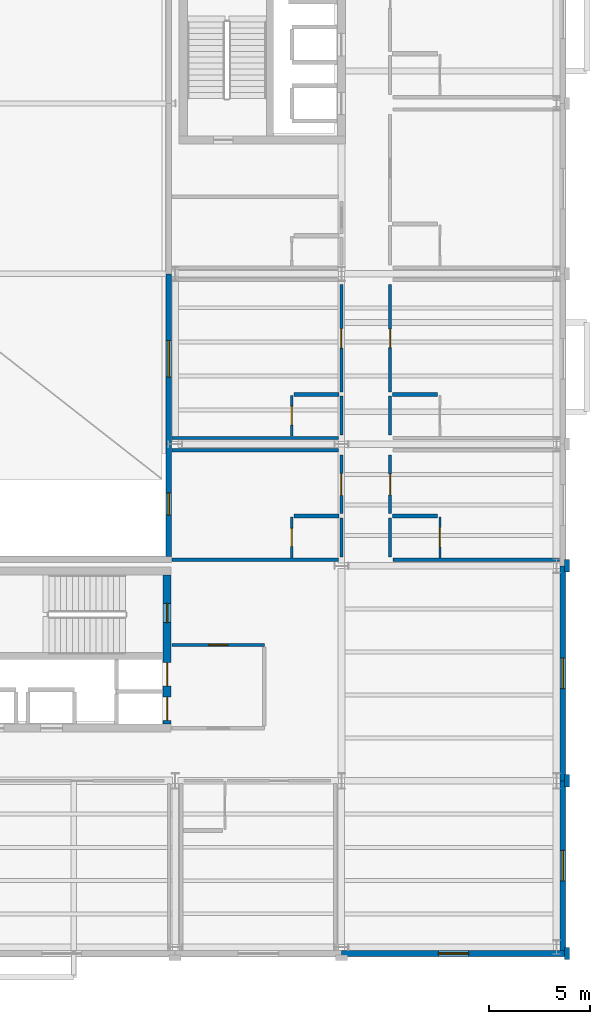
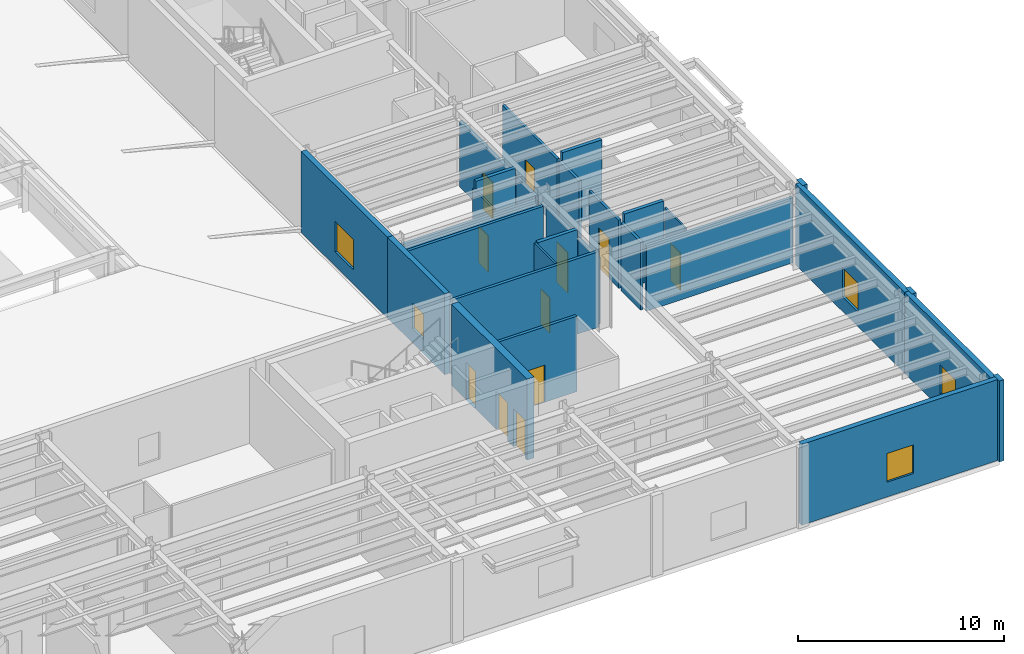
# One storey, part 78 of 91: 29 walls, 11 doors, 5 windows, 16 openings.
"""IFC4 building model written with IfcOpenShell, lengths in metres."""

import ifcopenshell
import ifcopenshell.guid

model = None  # the IFC model being written
_history = None  # IfcOwnerHistory: only IFC2X3 demands one
_inside = {}  # id of a spatial element -> (the spatial element, [elements in it])
_under = {}  # id of a project, library or spatial element -> (it, [spatial elements below it])
_declared = {}  # id of a project -> (the project, [libraries it declares])
_typed = {}  # id of a type object -> (the type object, [elements of that type])
_made_of = {}  # id of a material, layer set ... -> (it, [elements and type objects made of it])


def new_model(schema):
    """Start an empty IFC model of exactly this schema.

    Asked for "IFC4X3", IfcOpenShell would pick the latest addendum, in which some entities
    have other attributes; the version numbers below select the first issue.
    IFC2X3 requires an IfcOwnerHistory on every rooted entity: one is made here for all.
    """
    global model, _history
    if schema == "IFC4X3":
        model = ifcopenshell.file(schema_version=(4, 3, 0, 0))
    else:
        model = ifcopenshell.file(schema=schema)
    _inside.clear()
    _under.clear()
    _declared.clear()
    _typed.clear()
    _made_of.clear()
    _history = None
    if model.schema == "IFC2X3":
        org = make("IfcOrganization", Name="unknown")
        user = make(
            "IfcPersonAndOrganization",
            ThePerson=make("IfcPerson", FamilyName="unknown"),
            TheOrganization=org,
        )
        app = make(
            "IfcApplication",
            ApplicationDeveloper=org,
            Version="unknown",
            ApplicationFullName="unknown",
            ApplicationIdentifier="unknown",
        )
        _history = make(
            "IfcOwnerHistory",
            OwningUser=user,
            OwningApplication=app,
            ChangeAction="ADDED",
            CreationDate=0,
        )
    return model


def make(cls, **values):
    """One entity of the class cls with the attributes given. An attribute that is None is left unset."""
    return model.create_entity(
        cls, **{name: value for name, value in values.items() if value is not None}
    )


def rooted(cls, **values):
    """An entity with a GlobalId (a new one), such as an element, a storey or a relation."""
    return make(cls, GlobalId=ifcopenshell.guid.new(), OwnerHistory=_history, **values)


def si_unit(unit_type, name, prefix=None):
    """IfcSIUnit, for example si_unit("LENGTHUNIT", "METRE", prefix="MILLI")."""
    return make("IfcSIUnit", UnitType=unit_type, Prefix=prefix, Name=name)


def assignment(units):
    """IfcUnitAssignment: the units of a project."""
    return None if units is None else make("IfcUnitAssignment", Units=units)


def point(xyz):
    """IfcCartesianPoint."""
    return None if xyz is None else make("IfcCartesianPoint", Coordinates=xyz)


def direction(xyz):
    """IfcDirection."""
    return None if xyz is None else make("IfcDirection", DirectionRatios=xyz)


def frame(location, z_axis=None, x_axis=None):
    """IfcAxis2Placement3D, a coordinate frame: its origin and axes. An axis left out is left unset."""
    return make(
        "IfcAxis2Placement3D",
        Location=point(location),
        Axis=direction(z_axis),
        RefDirection=direction(x_axis),
    )


def frame_2d(location, x_axis=None):
    """IfcAxis2Placement2D, a coordinate frame in the plane: its origin and x axis."""
    return make(
        "IfcAxis2Placement2D", Location=point(location), RefDirection=direction(x_axis)
    )


def origin():
    """The frame at (0, 0, 0) with its axes left unset."""
    return frame((0.0, 0.0, 0.0))


def place(relative_to, where):
    """IfcLocalPlacement: puts the frame where relative to a parent placement (None: the world)."""
    return make(
        "IfcLocalPlacement", PlacementRelTo=relative_to, RelativePlacement=where
    )


def context(
    kind, dimensions, precision=None, world=None, true_north=None, identifier=None
):
    """IfcGeometricRepresentationContext, for example the 3D "Model" context."""
    return make(
        "IfcGeometricRepresentationContext",
        ContextIdentifier=identifier,
        ContextType=kind,
        CoordinateSpaceDimension=dimensions,
        Precision=precision,
        WorldCoordinateSystem=world,
        TrueNorth=true_north,
    )


def subcontext(parent, identifier, kind, view, scale=None):
    """IfcGeometricRepresentationSubContext, for example "Body" below "Model"."""
    return make(
        "IfcGeometricRepresentationSubContext",
        ContextIdentifier=identifier,
        ContextType=kind,
        ParentContext=parent,
        TargetScale=scale,
        TargetView=view,
    )


def project(units=None, contexts=None):
    """IfcProject with its units and contexts."""
    return rooted(
        "IfcProject",
        Name="project",
        RepresentationContexts=contexts,
        UnitsInContext=assignment(units),
    )


def spatial(cls, under=None, at=None, **own):
    """A site, building, storey or space (cls), placed at a placement, below another one or the project."""
    s = rooted(cls, ObjectPlacement=at, **own)
    if under is not None:
        _under.setdefault(under.id(), (under, []))[1].append(s)
    return s


def profile(cls, at=None, kind="AREA", **sizes):
    """A parametric profile (cls). Its sizes go by their IFC names, for example OverallWidth=200.0."""
    return make(cls, ProfileType=kind, Position=at, **sizes)


def rectangle(**sizes):
    """IfcRectangleProfileDef."""
    return profile("IfcRectangleProfileDef", **sizes)


def extrude(swept, where, along, depth):
    """IfcExtrudedAreaSolid: the profile swept, set in the frame where, extruded along a direction by depth."""
    return make(
        "IfcExtrudedAreaSolid",
        SweptArea=swept,
        Position=where,
        ExtrudedDirection=direction(along),
        Depth=depth,
    )


def shape(context_of_items, identifier, shape_type, items):
    """IfcShapeRepresentation: the items that make up one representation, for example the "Body"."""
    return make(
        "IfcShapeRepresentation",
        ContextOfItems=context_of_items,
        RepresentationIdentifier=identifier,
        RepresentationType=shape_type,
        Items=items,
    )


def material(Name=None, Category=None):
    """IfcMaterial."""
    return make("IfcMaterial", Name=Name, Category=Category)


def layer(
    of_material, thickness, ventilated=None, Name=None, Category=None, Priority=None
):
    """IfcMaterialLayer: one layer of a wall or slab, of a material (None: an air gap)."""
    return make(
        "IfcMaterialLayer",
        Material=of_material,
        LayerThickness=thickness,
        IsVentilated=ventilated,
        Name=Name,
        Category=Category,
        Priority=Priority,
    )


def layer_set(layers, Name=None):
    """IfcMaterialLayerSet."""
    return make("IfcMaterialLayerSet", MaterialLayers=layers, LayerSetName=Name)


def made_of(thing, what):
    """Note that an element or type object is made of a material, layer set ...; save() writes the relation."""
    if what is not None:
        _made_of.setdefault(what.id(), (what, []))[1].append(thing)
    return thing


def type_object(cls, material=None, **own):
    """A type object (cls), such as IfcWallType, which elements share."""
    return made_of(rooted(cls, **own), material)


def element(
    cls,
    number,
    at=None,
    inside=None,
    cuts=None,
    type_object=None,
    material=None,
    context=None,
    identifier="Body",
    shape_type=None,
    held_by="IfcProductDefinitionShape",
    body=None,
    shapes=None,
    **own,
):
    """One element of the class cls, such as IfcWall. Its Tag is "e" and its number.

    at: its placement. inside: the storey or other place that contains it. cuts: it is an
    opening in that element (IfcRelVoidsElement). A single representation is given by context,
    identifier, shape_type and body (its items); several are given by shapes. held_by: the class
    of the entity that holds the representations. save() writes the other relations.
    """
    e = rooted(cls, Tag="e%d" % number, ObjectPlacement=at, **own)
    if body is not None:
        shapes = [shape(context, identifier, shape_type, body)]
    if shapes is not None:
        e.Representation = make(held_by, Representations=shapes)
    if inside is not None:
        _inside.setdefault(inside.id(), (inside, []))[1].append(e)
    if cuts is not None:
        rooted(
            "IfcRelVoidsElement", RelatingBuildingElement=cuts, RelatedOpeningElement=e
        )
    if type_object is not None:
        _typed.setdefault(type_object.id(), (type_object, []))[1].append(e)
    return made_of(e, material)


def fill(opening, filler):
    """IfcRelFillsElement: the door or window that sits in an opening."""
    return rooted(
        "IfcRelFillsElement",
        RelatingOpeningElement=opening,
        RelatedBuildingElement=filler,
    )


def aggregate(whole, parts):
    """IfcRelAggregates: a whole, such as a stair, and the parts it consists of."""
    return rooted("IfcRelAggregates", RelatingObject=whole, RelatedObjects=parts)


def save(model, path):
    """Write the relations noted so far, then the file.

    IfcRelAggregates (storeys below a building ...), IfcRelContainedInSpatialStructure (elements
    in a storey), IfcRelDefinesByType, IfcRelAssociatesMaterial and IfcRelDeclares: one each for
    every whole, place, type object, material and project.
    """
    for whole, parts in _under.values():
        aggregate(whole, parts)
    for where, things in _inside.values():
        rooted(
            "IfcRelContainedInSpatialStructure",
            RelatedElements=things,
            RelatingStructure=where,
        )
    for kind, things in _typed.values():
        rooted("IfcRelDefinesByType", RelatedObjects=things, RelatingType=kind)
    for what, things in _made_of.values():
        rooted("IfcRelAssociatesMaterial", RelatedObjects=things, RelatingMaterial=what)
    for by, libraries in _declared.values():
        rooted("IfcRelDeclares", RelatingContext=by, RelatedDefinitions=libraries)
    model.write(path)


model = new_model("IFC4")

# Units and contexts
model_context = context("Model", 3, precision=1e-05, world=origin(), true_north=direction((0.0, 1.0)))
body_context = subcontext(model_context, "Body", "Model", "MODEL_VIEW")
ifc_project = project(units=[si_unit("LENGTHUNIT", "METRE"), si_unit("AREAUNIT", "SQUARE_METRE"), si_unit("VOLUMEUNIT", "CUBIC_METRE"), si_unit("PLANEANGLEUNIT", "RADIAN"), si_unit("MASSUNIT", "GRAM", prefix="KILO")], contexts=[model_context])

# Site, building, storey
site_placement = place(None, origin())
site = spatial("IfcSite", under=ifc_project, at=site_placement, CompositionType="ELEMENT")
building_placement = place(site_placement, origin())
building = spatial("IfcBuilding", under=site, at=building_placement, Name="Sollismere Congress Hotel", CompositionType="ELEMENT")
storey_placement = place(building_placement, frame((0.0, 0.0, 10.800048828125)))
storey = spatial("IfcBuildingStorey", under=building, at=storey_placement, Name="L02", CompositionType="ELEMENT", Elevation=10.800048828125)

# Wall, opening, window
ifc_material_1 = material(Name="Colorado Buff Sandstone Rainscreen on Insulated Backup", Category="masonry")
ifc_layer_1 = layer(ifc_material_1, 0.284912109375, Name="Colorado Buff Sandstone Rainscreen on Insulated Backup")
ifc_layer_set_1 = layer_set([ifc_layer_1], Name="Colorado Buff Sandstone Rainscreen on Insulated Backup")
wall_type_1 = type_object("IfcWallType", Name="WL-EXT285", PredefinedType="STANDARD", material=ifc_layer_set_1)
wall_1_placement = place(storey_placement, frame((155.39990234375, -0.31005859375, 0.0), z_axis=(0.0, 0.0, 1.0), x_axis=(1.0, 0.0, 0.0)))
wall_1 = element("IfcWall", 1, at=wall_1_placement, inside=storey, type_object=wall_type_1, Name="Exterior wall EW-L02-352", PredefinedType="STANDARD", context=body_context, shape_type="SweptSolid", body=[
    extrude(rectangle(XDim=11.050048828125, YDim=0.284912109375, at=frame_2d((5.52490234375, 0.0))), origin(), (0.0, 0.0, 1.0), 4.800048828125),
])
opening_1_placement = place(wall_1_placement, frame((4.77490234375, 0.0, 0.8798828125)))
opening_1 = element("IfcOpeningElement", 2, at=opening_1_placement, cuts=wall_1, Name="Opening W-L02-282", PredefinedType="OPENING", context=body_context, shape_type="SweptSolid", body=[
    extrude(rectangle(XDim=1.5, YDim=1.699951171875, at=frame_2d((0.75, 0.85009765625))), frame((0.0, 0.15234375, 0.0), z_axis=(0.0, -1.0, 0.0), x_axis=(1.0, 0.0, 0.0)), (0.0, 0.0, 1.0), 0.304931640625),
])
ifc_material_2 = material(Name="Thermally Broken Bronze Aluminum & Low-E Glass", Category="aluminium")
window_type_1 = type_object("IfcWindowType", Name="WN-P150x170", PartitioningType="SINGLE_PANEL", PredefinedType="WINDOW", material=ifc_material_2)
window_1_placement = place(opening_1_placement, origin())
window_1 = element("IfcWindow", 3, at=window_1_placement, inside=storey, type_object=window_type_1, Name="WIN-W-L02-282", OverallHeight=1.699951171875, OverallWidth=1.5, PartitioningType="SINGLE_PANEL", PredefinedType="WINDOW", context=body_context, shape_type="SweptSolid", body=[
    extrude(rectangle(XDim=1.5, YDim=1.699951171875, at=frame_2d((0.75, 0.85009765625))), frame((0.0, 0.030029296875, 0.0), z_axis=(0.0, -1.0, 0.0), x_axis=(1.0, 0.0, 0.0)), (0.0, 0.0, 1.0), 0.06005859375),
])
fill(opening_1, window_1)

wall_2_placement = place(storey_placement, frame((166.31005859375, -0.16552734375, 0.0), z_axis=(0.0, 0.0, 1.0), x_axis=(0.0, 1.0, 0.0)))
wall_2 = element("IfcWall", 4, at=wall_2_placement, inside=storey, type_object=wall_type_1, Name="Exterior wall EW-L02-354", PredefinedType="STANDARD", context=body_context, shape_type="SweptSolid", body=[
    extrude(rectangle(XDim=8.365478515625, YDim=0.284912109375, at=frame_2d((4.1826171875, 0.0))), origin(), (0.0, 0.0, 1.0), 4.800048828125),
])
opening_2_placement = place(wall_2_placement, frame((3.4326171875, 0.0, 0.8798828125)))
opening_2 = element("IfcOpeningElement", 5, at=opening_2_placement, cuts=wall_2, Name="Opening W-L02-283", PredefinedType="OPENING", context=body_context, shape_type="SweptSolid", body=[
    extrude(rectangle(XDim=1.5, YDim=1.699951171875, at=frame_2d((0.75, 0.85009765625))), frame((0.0, 0.15234375, 0.0), z_axis=(0.0, -1.0, 0.0), x_axis=(1.0, 0.0, 0.0)), (0.0, 0.0, 1.0), 0.304931640625),
])
window_2_placement = place(opening_2_placement, origin())
window_2 = element("IfcWindow", 6, at=window_2_placement, inside=storey, type_object=window_type_1, Name="WIN-W-L02-283", OverallHeight=1.699951171875, OverallWidth=1.5, PartitioningType="SINGLE_PANEL", PredefinedType="WINDOW", context=body_context, shape_type="SweptSolid", body=[
    extrude(rectangle(XDim=1.5, YDim=1.699951171875, at=frame_2d((0.75, 0.85009765625))), frame((0.0, 0.030029296875, 0.0), z_axis=(0.0, -1.0, 0.0), x_axis=(1.0, 0.0, 0.0)), (0.0, 0.0, 1.0), 0.06005859375),
])
fill(opening_2, window_2)

wall_3_placement = place(storey_placement, frame((166.31005859375, 8.199951171875, 0.0), z_axis=(0.0, 0.0, 1.0), x_axis=(0.0, 1.0, 0.0)))
wall_3 = element("IfcWall", 7, at=wall_3_placement, inside=storey, type_object=wall_type_1, Name="Exterior wall EW-L02-356", PredefinedType="STANDARD", context=body_context, shape_type="SweptSolid", body=[
    extrude(rectangle(XDim=10.60009765625, YDim=0.284912109375, at=frame_2d((5.300048828125, 0.0))), origin(), (0.0, 0.0, 1.0), 4.800048828125),
])
opening_3_placement = place(wall_3_placement, frame((4.550048828125, 0.0, 0.8798828125)))
opening_3 = element("IfcOpeningElement", 8, at=opening_3_placement, cuts=wall_3, Name="Opening W-L02-284", PredefinedType="OPENING", context=body_context, shape_type="SweptSolid", body=[
    extrude(rectangle(XDim=1.5, YDim=1.699951171875, at=frame_2d((0.75, 0.85009765625))), frame((0.0, 0.15234375, 0.0), z_axis=(0.0, -1.0, 0.0), x_axis=(1.0, 0.0, 0.0)), (0.0, 0.0, 1.0), 0.304931640625),
])
window_3_placement = place(opening_3_placement, origin())
window_3 = element("IfcWindow", 9, at=window_3_placement, inside=storey, type_object=window_type_1, Name="WIN-W-L02-284", OverallHeight=1.699951171875, OverallWidth=1.5, PartitioningType="SINGLE_PANEL", PredefinedType="WINDOW", context=body_context, shape_type="SweptSolid", body=[
    extrude(rectangle(XDim=1.5, YDim=1.699951171875, at=frame_2d((0.75, 0.85009765625))), frame((0.0, 0.030029296875, 0.0), z_axis=(0.0, -1.0, 0.0), x_axis=(1.0, 0.0, 0.0)), (0.0, 0.0, 1.0), 0.06005859375),
])
fill(opening_3, window_3)

wall_4_placement = place(storey_placement, frame((146.889892578125, 19.25439453125, 0.0), z_axis=(0.0, 0.0, 1.0), x_axis=(0.0, 1.0, 0.0)))
wall_4 = element("IfcWall", 10, at=wall_4_placement, inside=storey, type_object=wall_type_1, Name="Exterior wall EW-L02-381", PredefinedType="STANDARD", context=body_context, shape_type="SweptSolid", body=[
    extrude(rectangle(XDim=5.545654296875, YDim=0.284912109375, at=frame_2d((2.77294921875, 0.0))), origin(), (0.0, 0.0, 1.0), 4.800048828125),
])
opening_4_placement = place(wall_4_placement, frame((2.047607421875, 0.0, 0.85009765625)))
opening_4 = element("IfcOpeningElement", 11, at=opening_4_placement, cuts=wall_4, Name="Opening W-L02-301", PredefinedType="OPENING", context=body_context, shape_type="SweptSolid", body=[
    extrude(rectangle(XDim=1.10009765625, YDim=1.5, at=frame_2d((0.550048828125, 0.75))), frame((0.0, 0.15234375, 0.0), z_axis=(0.0, -1.0, 0.0), x_axis=(1.0, 0.0, 0.0)), (0.0, 0.0, 1.0), 0.304931640625),
])
window_type_2 = type_object("IfcWindowType", Name="WN-P110x150", PartitioningType="SINGLE_PANEL", PredefinedType="WINDOW", material=ifc_material_2)
window_4_placement = place(opening_4_placement, origin())
window_4 = element("IfcWindow", 12, at=window_4_placement, inside=storey, type_object=window_type_2, Name="WIN-W-L02-301", OverallHeight=1.5, OverallWidth=1.10009765625, PartitioningType="SINGLE_PANEL", PredefinedType="WINDOW", context=body_context, shape_type="SweptSolid", body=[
    extrude(rectangle(XDim=1.10009765625, YDim=1.5, at=frame_2d((0.550048828125, 0.75))), frame((0.0, 0.030029296875, 0.0), z_axis=(0.0, -1.0, 0.0), x_axis=(1.0, 0.0, 0.0)), (0.0, 0.0, 1.0), 0.06005859375),
])
fill(opening_4, window_4)

wall_5_placement = place(storey_placement, frame((146.889892578125, 24.800048828125, 0.0), z_axis=(0.0, 0.0, 1.0), x_axis=(0.0, 1.0, 0.0)))
wall_5 = element("IfcWall", 13, at=wall_5_placement, inside=storey, type_object=wall_type_1, Name="Exterior wall EW-L02-382", PredefinedType="STANDARD", context=body_context, shape_type="SweptSolid", body=[
    extrude(rectangle(XDim=8.39990234375, YDim=0.284912109375, at=frame_2d((4.199951171875, 0.0))), origin(), (0.0, 0.0, 1.0), 4.800048828125),
])
opening_5_placement = place(wall_5_placement, frame((3.300048828125, 0.0, 0.85009765625)))
opening_5 = element("IfcOpeningElement", 14, at=opening_5_placement, cuts=wall_5, Name="Opening W-L02-302", PredefinedType="OPENING", context=body_context, shape_type="SweptSolid", body=[
    extrude(rectangle(XDim=1.800048828125, YDim=1.800048828125, at=frame_2d((0.89990234375, 0.89990234375))), frame((0.0, 0.15234375, 0.0), z_axis=(0.0, -1.0, 0.0), x_axis=(1.0, 0.0, 0.0)), (0.0, 0.0, 1.0), 0.304931640625),
])
window_type_3 = type_object("IfcWindowType", Name="WN-P180x180", PartitioningType="SINGLE_PANEL", PredefinedType="WINDOW", material=ifc_material_2)
window_5_placement = place(opening_5_placement, origin())
window_5 = element("IfcWindow", 15, at=window_5_placement, inside=storey, type_object=window_type_3, Name="WIN-W-L02-302", OverallHeight=1.800048828125, OverallWidth=1.800048828125, PartitioningType="SINGLE_PANEL", PredefinedType="WINDOW", context=body_context, shape_type="SweptSolid", body=[
    extrude(rectangle(XDim=1.800048828125, YDim=1.800048828125, at=frame_2d((0.89990234375, 0.89990234375))), frame((0.0, 0.030029296875, 0.0), z_axis=(0.0, -1.0, 0.0), x_axis=(1.0, 0.0, 0.0)), (0.0, 0.0, 1.0), 0.06005859375),
])
fill(opening_5, window_5)

# Walls
ifc_material_3 = material(Name="Carved Travertine Pilaster & Frieze Assembly", Category="masonry")
ifc_layer_2 = layer(ifc_material_3, 0.260009765625, Name="Carved Travertine Pilaster & Frieze Assembly")
ifc_layer_set_2 = layer_set([ifc_layer_2], Name="Carved Travertine Pilaster & Frieze Assembly")
wall_type_2 = type_object("IfcWallType", Name="WL-PIL280", PredefinedType="ELEMENTEDWALL", material=ifc_layer_set_2)
for number, where, z_axis, x_axis, name in (
    (16, (166.52001953125, -0.610107421875, 0.0), (0.0, 0.0, 1.0), (0.0, 1.0, 0.0), "Exterior wall EW-L02-355"),
    (17, (166.52001953125, 7.89990234375, 0.0), (0.0, 0.0, 1.0), (0.0, 1.0, 0.0), "Exterior wall EW-L02-357"),
    (18, (166.52001953125, 18.5, 0.0), (0.0, 0.0, 1.0), (0.0, 1.0, 0.0), "Exterior wall EW-L02-359"),
):
    element("IfcWall", number, at=place(storey_placement, frame(where, z_axis=z_axis, x_axis=x_axis)), inside=storey, type_object=wall_type_2, Name=name, PredefinedType="ELEMENTEDWALL", context=body_context, shape_type="SweptSolid", body=[
        extrude(rectangle(XDim=0.60009765625, YDim=0.260009765625, at=frame_2d((0.300048828125, 0.0))), origin(), (0.0, 0.0, 1.0), 4.800048828125),
    ])
ifc_material_4 = material(Name="Moisture-Resistant Shaft Gypsum Assembly")
ifc_layer_3 = layer(ifc_material_4, 0.199951171875, Name="Moisture-Resistant Shaft Gypsum Assembly")
ifc_layer_set_3 = layer_set([ifc_layer_3], Name="Moisture-Resistant Shaft Gypsum Assembly")
wall_type_3 = type_object("IfcWallType", Name="WL-PLM200", PredefinedType="PLUMBINGWALL", material=ifc_layer_set_3)
for number, where, z_axis, x_axis, name in (
    (19, (157.919921875, 21.25, 0.0), (0.0, 0.0, 1.0), (1.0, 0.0, 0.0), "Interior wall IW-L02-1137"),
    (20, (153.070068359375, 21.25, 0.0), (0.0, 0.0, 1.0), (1.0, 0.0, 0.0), "Interior wall IW-L02-1143"),
    (21, (157.919921875, 27.25, 0.0), (0.0, 0.0, 1.0), (1.0, 0.0, 0.0), "Interior wall IW-L02-1149"),
    (22, (153.070068359375, 27.25, 0.0), (0.0, 0.0, 1.0), (1.0, 0.0, 0.0), "Interior wall IW-L02-1155"),
):
    element("IfcWall", number, at=place(storey_placement, frame(where, z_axis=z_axis, x_axis=x_axis)), inside=storey, type_object=wall_type_3, Name=name, PredefinedType="PLUMBINGWALL", context=body_context, shape_type="SweptSolid", body=[
        extrude(rectangle(XDim=2.2099609375, YDim=0.199951171875, at=frame_2d((1.10498046875, 0.0))), origin(), (0.0, 0.0, 1.0), 4.474853515625),
    ])

# Wall, opening, door
ifc_material_5 = material(Name="Moisture-Resistant Gypsum Partition")
ifc_layer_4 = layer(ifc_material_5, 0.10009765625, Name="Moisture-Resistant Gypsum Partition")
ifc_layer_set_4 = layer_set([ifc_layer_4], Name="Moisture-Resistant Gypsum Partition")
wall_type_4 = type_object("IfcWallType", Name="WL-PRT100", PredefinedType="PARTITIONING", material=ifc_layer_set_4)
wall_6_placement = place(storey_placement, frame((160.25, 19.194580078125, 0.0), z_axis=(0.0, 0.0, 1.0), x_axis=(0.0, 1.0, 0.0)))
wall_6 = element("IfcWall", 23, at=wall_6_placement, inside=storey, type_object=wall_type_4, Name="Interior wall IW-L02-1138", PredefinedType="PARTITIONING", context=body_context, shape_type="SweptSolid", body=[
    extrude(rectangle(XDim=2.015380859375, YDim=0.10009765625, at=frame_2d((1.0078125, 0.0))), origin(), (0.0, 0.0, 1.0), 4.032958984375),
])
opening_6_placement = place(wall_6_placement, frame((0.530029296875, 0.0, 0.0)))
opening_6 = element("IfcOpeningElement", 24, at=opening_6_placement, cuts=wall_6, Name="Opening D-L02-0402", PredefinedType="OPENING", context=body_context, shape_type="SweptSolid", body=[
    extrude(rectangle(XDim=0.955078125, YDim=2.219970703125, at=frame_2d((0.4775390625, 1.10986328125))), frame((0.0, 0.06005859375, 0.0), z_axis=(0.0, -1.0, 0.0), x_axis=(1.0, 0.0, 0.0)), (0.0, 0.0, 1.0), 0.1201171875),
])
ifc_material_6 = material(Name="Moisture-Sealed Timber Bathroom Door", Category="wood")
door_type_1 = type_object("IfcDoorType", Name="DR-BT08", OperationType="NOTDEFINED", PredefinedType="DOOR", material=ifc_material_6)
door_1_placement = place(opening_6_placement, origin())
door_1 = element("IfcDoor", 25, at=door_1_placement, inside=storey, type_object=door_type_1, Name="En-suite bathroom door D-L02-0402", OperationType="SINGLE_SWING_LEFT", OverallHeight=2.219970703125, OverallWidth=0.955078125, PredefinedType="DOOR", context=body_context, shape_type="SweptSolid", body=[
    extrude(rectangle(XDim=0.955078125, YDim=2.219970703125, at=frame_2d((0.4775390625, 1.10986328125))), frame((0.0, 0.02490234375, 0.0), z_axis=(0.0, -1.0, 0.0), x_axis=(1.0, 0.0, 0.0)), (0.0, 0.0, 1.0), 0.050048828125),
])
fill(opening_6, door_1)

wall_7_placement = place(storey_placement, frame((152.949951171875, 19.194580078125, 0.0), z_axis=(0.0, 0.0, 1.0), x_axis=(0.0, 1.0, 0.0)))
wall_7 = element("IfcWall", 26, at=wall_7_placement, inside=storey, type_object=wall_type_4, Name="Interior wall IW-L02-1144", PredefinedType="PARTITIONING", context=body_context, shape_type="SweptSolid", body=[
    extrude(rectangle(XDim=2.015380859375, YDim=0.10009765625, at=frame_2d((1.0078125, 0.0))), origin(), (0.0, 0.0, 1.0), 4.474853515625),
])
opening_7_placement = place(wall_7_placement, frame((0.568115234375, 0.0, 0.0)))
opening_7 = element("IfcOpeningElement", 27, at=opening_7_placement, cuts=wall_7, Name="Opening D-L02-0404", PredefinedType="OPENING", context=body_context, shape_type="SweptSolid", body=[
    extrude(rectangle(XDim=0.8798828125, YDim=2.10009765625, at=frame_2d((0.43994140625, 1.050048828125))), frame((0.0, 0.06005859375, 0.0), z_axis=(0.0, -1.0, 0.0), x_axis=(1.0, 0.0, 0.0)), (0.0, 0.0, 1.0), 0.1201171875),
])
door_type_2 = type_object("IfcDoorType", Name="DR-BT01", OperationType="NOTDEFINED", PredefinedType="DOOR", material=ifc_material_6)
door_2_placement = place(opening_7_placement, origin())
door_2 = element("IfcDoor", 28, at=door_2_placement, inside=storey, type_object=door_type_2, Name="En-suite bathroom door D-L02-0404", OperationType="SINGLE_SWING_LEFT", OverallHeight=2.10009765625, OverallWidth=0.8798828125, PredefinedType="DOOR", context=body_context, shape_type="SweptSolid", body=[
    extrude(rectangle(XDim=0.8798828125, YDim=2.10009765625, at=frame_2d((0.43994140625, 1.050048828125))), frame((0.0, 0.02490234375, 0.0), z_axis=(0.0, -1.0, 0.0), x_axis=(1.0, 0.0, 0.0)), (0.0, 0.0, 1.0), 0.050048828125),
])
fill(opening_7, door_2)

wall_8_placement = place(storey_placement, frame((152.949951171875, 25.194580078125, 0.0), z_axis=(0.0, 0.0, 1.0), x_axis=(0.0, 1.0, 0.0)))
wall_8 = element("IfcWall", 29, at=wall_8_placement, inside=storey, type_object=wall_type_4, Name="Interior wall IW-L02-1156", PredefinedType="PARTITIONING", context=body_context, shape_type="SweptSolid", body=[
    extrude(rectangle(XDim=2.015380859375, YDim=0.10009765625, at=frame_2d((1.0078125, 0.0))), origin(), (0.0, 0.0, 1.0), 4.0830078125),
])
opening_8_placement = place(wall_8_placement, frame((0.54296875, 0.0, 0.0)))
opening_8 = element("IfcOpeningElement", 30, at=opening_8_placement, cuts=wall_8, Name="Opening D-L02-0408", PredefinedType="OPENING", context=body_context, shape_type="SweptSolid", body=[
    extrude(rectangle(XDim=0.929931640625, YDim=2.139892578125, at=frame_2d((0.46484375, 1.06982421875))), frame((0.0, 0.06005859375, 0.0), z_axis=(0.0, -1.0, 0.0), x_axis=(1.0, 0.0, 0.0)), (0.0, 0.0, 1.0), 0.1201171875),
])
door_type_3 = type_object("IfcDoorType", Name="DR-BT03", OperationType="NOTDEFINED", PredefinedType="DOOR", material=ifc_material_6)
door_3_placement = place(opening_8_placement, origin())
door_3 = element("IfcDoor", 31, at=door_3_placement, inside=storey, type_object=door_type_3, Name="En-suite bathroom door D-L02-0408", OperationType="SINGLE_SWING_LEFT", OverallHeight=2.139892578125, OverallWidth=0.929931640625, PredefinedType="DOOR", context=body_context, shape_type="SweptSolid", body=[
    extrude(rectangle(XDim=0.929931640625, YDim=2.139892578125, at=frame_2d((0.46484375, 1.06982421875))), frame((0.0, 0.02490234375, 0.0), z_axis=(0.0, -1.0, 0.0), x_axis=(1.0, 0.0, 0.0)), (0.0, 0.0, 1.0), 0.050048828125),
])
fill(opening_8, door_3)

# Wall
ifc_material_7 = material(Name="Fire-Rated Gypsum Partition")
ifc_layer_5 = layer(ifc_material_7, 0.139892578125, Name="Fire-Rated Gypsum Partition")
ifc_layer_set_5 = layer_set([ifc_layer_5], Name="Fire-Rated Gypsum Partition")
wall_type_5 = type_object("IfcWallType", Name="WL-PRT140R", PredefinedType="PARTITIONING", material=ifc_layer_set_5)
wall_9_placement = place(storey_placement, frame((157.800048828125, 19.239990234375, 0.0), z_axis=(0.0, 0.0, 1.0), x_axis=(0.0, 1.0, 0.0)))
element("IfcWall", 32, at=wall_9_placement, inside=storey, type_object=wall_type_5, Name="Interior wall IW-L02-1133", PredefinedType="PARTITIONING", context=body_context, shape_type="SweptSolid", body=[
    extrude(rectangle(XDim=1.929931640625, YDim=0.139892578125, at=frame_2d((0.96484375, 0.0))), origin(), (0.0, 0.0, 1.0), 4.032958984375),
])

# Wall, opening, door
wall_10_placement = place(storey_placement, frame((157.800048828125, 21.3701171875, 0.0), z_axis=(0.0, 0.0, 1.0), x_axis=(0.0, 1.0, 0.0)))
wall_10 = element("IfcWall", 33, at=wall_10_placement, inside=storey, type_object=wall_type_5, Name="Interior wall IW-L02-1134", PredefinedType="PARTITIONING", context=body_context, shape_type="SweptSolid", body=[
    extrude(rectangle(XDim=2.889892578125, YDim=0.139892578125, at=frame_2d((1.44482421875, 0.0))), origin(), (0.0, 0.0, 1.0), 4.032958984375),
])
opening_9_placement = place(wall_10_placement, frame((0.925048828125, 0.0, 0.0)))
opening_9 = element("IfcOpeningElement", 34, at=opening_9_placement, cuts=wall_10, Name="Opening D-L02-0401", PredefinedType="OPENING", context=body_context, shape_type="SweptSolid", body=[
    extrude(rectangle(XDim=1.0400390625, YDim=2.39990234375, at=frame_2d((0.52001953125, 1.199951171875))), frame((0.0, 0.079833984375, 0.0), z_axis=(0.0, -1.0, 0.0), x_axis=(1.0, 0.0, 0.0)), (0.0, 0.0, 1.0), 0.159912109375),
])
ifc_material_8 = material(Name="Solid-Core Acoustic Walnut Guestroom Entry Door")
door_type_4 = type_object("IfcDoorType", Name="DR-KY11", OperationType="NOTDEFINED", PredefinedType="DOOR", material=ifc_material_8)
door_4_placement = place(opening_9_placement, origin())
door_4 = element("IfcDoor", 35, at=door_4_placement, inside=storey, type_object=door_type_4, Name="Hotel room entry door D-L02-0401", OperationType="SINGLE_SWING_RIGHT", OverallHeight=2.39990234375, OverallWidth=1.0400390625, PredefinedType="DOOR", context=body_context, shape_type="SweptSolid", body=[
    extrude(rectangle(XDim=1.0400390625, YDim=2.39990234375, at=frame_2d((0.52001953125, 1.199951171875))), frame((0.0, 0.02490234375, 0.0), z_axis=(0.0, -1.0, 0.0), x_axis=(1.0, 0.0, 0.0)), (0.0, 0.0, 1.0), 0.050048828125),
])
fill(opening_9, door_4)

# Wall
wall_11_placement = place(storey_placement, frame((155.39990234375, 19.239990234375, 0.0), z_axis=(0.0, 0.0, 1.0), x_axis=(0.0, 1.0, 0.0)))
element("IfcWall", 36, at=wall_11_placement, inside=storey, type_object=wall_type_5, Name="Interior wall IW-L02-1139", PredefinedType="PARTITIONING", context=body_context, shape_type="SweptSolid", body=[
    extrude(rectangle(XDim=1.929931640625, YDim=0.139892578125, at=frame_2d((0.96484375, 0.0))), origin(), (0.0, 0.0, 1.0), 3.948974609375),
])

# Wall, opening, door
wall_12_placement = place(storey_placement, frame((155.39990234375, 21.3701171875, 0.0), z_axis=(0.0, 0.0, 1.0), x_axis=(0.0, 1.0, 0.0)))
wall_12 = element("IfcWall", 37, at=wall_12_placement, inside=storey, type_object=wall_type_5, Name="Interior wall IW-L02-1140", PredefinedType="PARTITIONING", context=body_context, shape_type="SweptSolid", body=[
    extrude(rectangle(XDim=2.889892578125, YDim=0.139892578125, at=frame_2d((1.44482421875, 0.0))), origin(), (0.0, 0.0, 1.0), 3.948974609375),
])
opening_10_placement = place(wall_12_placement, frame((0.909912109375, 0.0, 0.0)))
opening_10 = element("IfcOpeningElement", 38, at=opening_10_placement, cuts=wall_12, Name="Opening D-L02-0403", PredefinedType="OPENING", context=body_context, shape_type="SweptSolid", body=[
    extrude(rectangle(XDim=1.070068359375, YDim=2.39990234375, at=frame_2d((0.53515625, 1.199951171875))), frame((0.0, 0.079833984375, 0.0), z_axis=(0.0, -1.0, 0.0), x_axis=(1.0, 0.0, 0.0)), (0.0, 0.0, 1.0), 0.159912109375),
])
door_type_5 = type_object("IfcDoorType", Name="DR-KY12", OperationType="NOTDEFINED", PredefinedType="DOOR", material=ifc_material_8)
door_5_placement = place(opening_10_placement, origin())
door_5 = element("IfcDoor", 39, at=door_5_placement, inside=storey, type_object=door_type_5, Name="Hotel room entry door D-L02-0403", OperationType="SINGLE_SWING_RIGHT", OverallHeight=2.39990234375, OverallWidth=1.070068359375, PredefinedType="DOOR", context=body_context, shape_type="SweptSolid", body=[
    extrude(rectangle(XDim=1.070068359375, YDim=2.39990234375, at=frame_2d((0.53515625, 1.199951171875))), frame((0.0, 0.02490234375, 0.0), z_axis=(0.0, -1.0, 0.0), x_axis=(1.0, 0.0, 0.0)), (0.0, 0.0, 1.0), 0.050048828125),
])
fill(opening_10, door_5)

# Wall
wall_13_placement = place(storey_placement, frame((157.800048828125, 25.239990234375, 0.0), z_axis=(0.0, 0.0, 1.0), x_axis=(0.0, 1.0, 0.0)))
element("IfcWall", 40, at=wall_13_placement, inside=storey, type_object=wall_type_5, Name="Interior wall IW-L02-1145", PredefinedType="PARTITIONING", context=body_context, shape_type="SweptSolid", body=[
    extrude(rectangle(XDim=1.929931640625, YDim=0.139892578125, at=frame_2d((0.96484375, 0.0))), origin(), (0.0, 0.0, 1.0), 4.02783203125),
])

# Wall, opening, door
wall_14_placement = place(storey_placement, frame((157.800048828125, 27.3701171875, 0.0), z_axis=(0.0, 0.0, 1.0), x_axis=(0.0, 1.0, 0.0)))
wall_14 = element("IfcWall", 41, at=wall_14_placement, inside=storey, type_object=wall_type_5, Name="Interior wall IW-L02-1146", PredefinedType="PARTITIONING", context=body_context, shape_type="SweptSolid", body=[
    extrude(rectangle(XDim=5.289794921875, YDim=0.139892578125, at=frame_2d((2.64501953125, 0.0))), origin(), (0.0, 0.0, 1.0), 4.02783203125),
])
opening_11_placement = place(wall_14_placement, frame((2.18505859375, 0.0, 0.0)))
opening_11 = element("IfcOpeningElement", 42, at=opening_11_placement, cuts=wall_14, Name="Opening D-L02-0405", PredefinedType="OPENING", context=body_context, shape_type="SweptSolid", body=[
    extrude(rectangle(XDim=0.919921875, YDim=2.14990234375, at=frame_2d((0.4599609375, 1.074951171875))), frame((0.0, 0.079833984375, 0.0), z_axis=(0.0, -1.0, 0.0), x_axis=(1.0, 0.0, 0.0)), (0.0, 0.0, 1.0), 0.159912109375),
])
door_type_6 = type_object("IfcDoorType", Name="DR-KY01", OperationType="NOTDEFINED", PredefinedType="DOOR", material=ifc_material_8)
door_6_placement = place(opening_11_placement, origin())
door_6 = element("IfcDoor", 43, at=door_6_placement, inside=storey, type_object=door_type_6, Name="Hotel room entry door D-L02-0405", OperationType="SINGLE_SWING_RIGHT", OverallHeight=2.14990234375, OverallWidth=0.919921875, PredefinedType="DOOR", context=body_context, shape_type="SweptSolid", body=[
    extrude(rectangle(XDim=0.919921875, YDim=2.14990234375, at=frame_2d((0.4599609375, 1.074951171875))), frame((0.0, 0.02490234375, 0.0), z_axis=(0.0, -1.0, 0.0), x_axis=(1.0, 0.0, 0.0)), (0.0, 0.0, 1.0), 0.050048828125),
])
fill(opening_11, door_6)

# Wall
wall_15_placement = place(storey_placement, frame((155.39990234375, 25.239990234375, 0.0), z_axis=(0.0, 0.0, 1.0), x_axis=(0.0, 1.0, 0.0)))
element("IfcWall", 44, at=wall_15_placement, inside=storey, type_object=wall_type_5, Name="Interior wall IW-L02-1151", PredefinedType="PARTITIONING", context=body_context, shape_type="SweptSolid", body=[
    extrude(rectangle(XDim=1.929931640625, YDim=0.139892578125, at=frame_2d((0.96484375, 0.0))), origin(), (0.0, 0.0, 1.0), 3.948974609375),
])

# Wall, opening, door
wall_16_placement = place(storey_placement, frame((155.39990234375, 27.3701171875, 0.0), z_axis=(0.0, 0.0, 1.0), x_axis=(0.0, 1.0, 0.0)))
wall_16 = element("IfcWall", 45, at=wall_16_placement, inside=storey, type_object=wall_type_5, Name="Interior wall IW-L02-1152", PredefinedType="PARTITIONING", context=body_context, shape_type="SweptSolid", body=[
    extrude(rectangle(XDim=5.289794921875, YDim=0.139892578125, at=frame_2d((2.64501953125, 0.0))), origin(), (0.0, 0.0, 1.0), 3.948974609375),
])
opening_12_placement = place(wall_16_placement, frame((2.169921875, 0.0, 0.0)))
opening_12 = element("IfcOpeningElement", 46, at=opening_12_placement, cuts=wall_16, Name="Opening D-L02-0407", PredefinedType="OPENING", context=body_context, shape_type="SweptSolid", body=[
    extrude(rectangle(XDim=0.949951171875, YDim=2.14990234375, at=frame_2d((0.47509765625, 1.074951171875))), frame((0.0, 0.079833984375, 0.0), z_axis=(0.0, -1.0, 0.0), x_axis=(1.0, 0.0, 0.0)), (0.0, 0.0, 1.0), 0.159912109375),
])
door_type_7 = type_object("IfcDoorType", Name="DR-KY02", OperationType="NOTDEFINED", PredefinedType="DOOR", material=ifc_material_8)
door_7_placement = place(opening_12_placement, origin())
door_7 = element("IfcDoor", 47, at=door_7_placement, inside=storey, type_object=door_type_7, Name="Hotel room entry door D-L02-0407", OperationType="SINGLE_SWING_RIGHT", OverallHeight=2.14990234375, OverallWidth=0.949951171875, PredefinedType="DOOR", context=body_context, shape_type="SweptSolid", body=[
    extrude(rectangle(XDim=0.949951171875, YDim=2.14990234375, at=frame_2d((0.47509765625, 1.074951171875))), frame((0.0, 0.02490234375, 0.0), z_axis=(0.0, -1.0, 0.0), x_axis=(1.0, 0.0, 0.0)), (0.0, 0.0, 1.0), 0.050048828125),
])
fill(opening_12, door_7)

ifc_material_9 = material(Name="Fire-Rated Acoustic Gypsum Partition")
ifc_layer_6 = layer(ifc_material_9, 0.1650390625, Name="Fire-Rated Acoustic Gypsum Partition")
ifc_layer_set_6 = layer_set([ifc_layer_6], Name="Fire-Rated Acoustic Gypsum Partition")
wall_type_6 = type_object("IfcWallType", Name="WL-PRT165R", PredefinedType="PARTITIONING", material=ifc_layer_set_6)
wall_17_placement = place(storey_placement, frame((147.050048828125, 14.89990234375, 0.0), z_axis=(0.0, 0.0, 1.0), x_axis=(1.0, 0.0, 0.0)))
wall_17 = element("IfcWall", 48, at=wall_17_placement, inside=storey, type_object=wall_type_6, Name="Interior wall IW-L02-0063", PredefinedType="PARTITIONING", context=body_context, shape_type="SweptSolid", body=[
    extrude(rectangle(XDim=4.550048828125, YDim=0.1650390625, at=frame_2d((2.27490234375, 0.0))), origin(), (0.0, 0.0, 1.0), 4.474853515625),
])
opening_13_placement = place(wall_17_placement, frame((1.800048828125, 0.0, 0.0)))
opening_13 = element("IfcOpeningElement", 49, at=opening_13_placement, cuts=wall_17, Name="Opening D-FFS-L02", PredefinedType="OPENING", context=body_context, shape_type="SweptSolid", body=[
    extrude(rectangle(XDim=0.949951171875, YDim=2.199951171875, at=frame_2d((0.47509765625, 1.10009765625))), frame((0.0, 0.092529296875, 0.0), z_axis=(0.0, -1.0, 0.0), x_axis=(1.0, 0.0, 0.0)), (0.0, 0.0, 1.0), 0.18505859375),
])
ifc_material_10 = material(Name="Fire-Rated Insulated Steel Door", Category="steel")
door_type_8 = type_object("IfcDoorType", Name="DR-FD90", OperationType="NOTDEFINED", PredefinedType="DOOR", material=ifc_material_10)
door_8_placement = place(opening_13_placement, origin())
door_8 = element("IfcDoor", 50, at=door_8_placement, inside=storey, type_object=door_type_8, Name="Firefighting stair vestibule door D-FFS-L02", OperationType="SINGLE_SWING_RIGHT", OverallHeight=2.199951171875, OverallWidth=0.949951171875, PredefinedType="DOOR", context=body_context, shape_type="SweptSolid", body=[
    extrude(rectangle(XDim=0.949951171875, YDim=2.199951171875, at=frame_2d((0.47509765625, 1.10009765625))), frame((0.0, 0.02490234375, 0.0), z_axis=(0.0, -1.0, 0.0), x_axis=(1.0, 0.0, 0.0)), (0.0, 0.0, 1.0), 0.050048828125),
])
fill(opening_13, door_8)

# Walls
wall_18_placement = place(storey_placement, frame((157.93994140625, 19.10009765625, 0.0), z_axis=(0.0, 0.0, 1.0), x_axis=(1.0, 0.0, 0.0)))
element("IfcWall", 51, at=wall_18_placement, inside=storey, type_object=wall_type_6, Name="Interior wall IW-L02-1135", PredefinedType="PARTITIONING", context=body_context, shape_type="SweptSolid", body=[
    extrude(rectangle(XDim=8.212646484375, YDim=0.1650390625, at=frame_2d((4.1064453125, 0.0))), origin(), (0.0, 0.0, 1.0), 3.864990234375),
])
wall_19_placement = place(storey_placement, frame((147.0400390625, 19.10009765625, 0.0), z_axis=(0.0, 0.0, 1.0), x_axis=(1.0, 0.0, 0.0)))
element("IfcWall", 52, at=wall_19_placement, inside=storey, type_object=wall_type_6, Name="Interior wall IW-L02-1141", PredefinedType="PARTITIONING", context=body_context, shape_type="SweptSolid", body=[
    extrude(rectangle(XDim=8.219970703125, YDim=0.1650390625, at=frame_2d((4.10986328125, 0.0))), origin(), (0.0, 0.0, 1.0), 4.474853515625),
])
for number, where, z_axis, x_axis, name in (
    (53, (147.047607421875, 24.5, 0.0), (0.0, 0.0, 1.0), (1.0, 0.0, 0.0), "Interior wall IW-L02-1142"),
    (54, (147.047607421875, 25.10009765625, 0.0), (0.0, 0.0, 1.0), (1.0, 0.0, 0.0), "Interior wall IW-L02-1153"),
):
    element("IfcWall", number, at=place(storey_placement, frame(where, z_axis=z_axis, x_axis=x_axis)), inside=storey, type_object=wall_type_6, Name=name, PredefinedType="PARTITIONING", context=body_context, shape_type="SweptSolid", body=[
        extrude(rectangle(XDim=8.21240234375, YDim=0.1650390625, at=frame_2d((4.106201171875, 0.0))), origin(), (0.0, 0.0, 1.0), 3.887939453125),
    ])

# Wall, openings, doors
ifc_material_11 = material(Name="Concrete C50/60", Category="concrete")
ifc_layer_7 = layer(ifc_material_11, 0.39990234375, Name="Concrete C50/60")
ifc_layer_set_7 = layer_set([ifc_layer_7], Name="Concrete C50/60")
wall_type_7 = type_object("IfcWallType", Name="WL-SHR400", PredefinedType="SHEAR", material=ifc_layer_set_7)
wall_20_placement = place(storey_placement, frame((146.800048828125, 11.0, 0.0), z_axis=(0.0, 0.0, 1.0), x_axis=(0.0, 1.0, 0.0)))
wall_20 = element("IfcWall", 55, at=wall_20_placement, inside=storey, type_object=wall_type_7, Name="Interior wall IW-L02-0052", PredefinedType="SHEAR", context=body_context, shape_type="SweptSolid", body=[
    extrude(rectangle(XDim=7.35009765625, YDim=0.39990234375, at=frame_2d((3.675048828125, 0.0))), origin(), (0.0, 0.0, 1.0), 4.800048828125),
])
opening_14_placement = place(wall_20_placement, frame((5.0, 0.0, 0.0)))
opening_14 = element("IfcOpeningElement", 56, at=opening_14_placement, cuts=wall_20, Name="Opening D-ST-01-L02", PredefinedType="OPENING", context=body_context, shape_type="SweptSolid", body=[
    extrude(rectangle(XDim=0.949951171875, YDim=2.199951171875, at=frame_2d((0.47509765625, 1.10009765625))), frame((0.0, 0.2099609375, 0.0), z_axis=(0.0, -1.0, 0.0), x_axis=(1.0, 0.0, 0.0)), (0.0, 0.0, 1.0), 0.419921875),
])
opening_15_placement = place(wall_20_placement, frame((0.175048828125, 0.0, 0.0)))
opening_15 = element("IfcOpeningElement", 57, at=opening_15_placement, cuts=wall_20, Name="Opening LD-FL-01-L02", PredefinedType="OPENING", context=body_context, shape_type="SweptSolid", body=[
    extrude(rectangle(XDim=1.14990234375, YDim=2.25, at=frame_2d((0.574951171875, 1.125))), frame((0.0, 0.2099609375, 0.0), z_axis=(0.0, -1.0, 0.0), x_axis=(1.0, 0.0, 0.0)), (0.0, 0.0, 1.0), 0.419921875),
])
opening_16_placement = place(wall_20_placement, frame((1.875, 0.0, 0.0)))
opening_16 = element("IfcOpeningElement", 58, at=opening_16_placement, cuts=wall_20, Name="Opening LD-FL-02-L02", PredefinedType="OPENING", context=body_context, shape_type="SweptSolid", body=[
    extrude(rectangle(XDim=1.14990234375, YDim=2.25, at=frame_2d((0.574951171875, 1.125))), frame((0.0, 0.2099609375, 0.0), z_axis=(0.0, -1.0, 0.0), x_axis=(1.0, 0.0, 0.0)), (0.0, 0.0, 1.0), 0.419921875),
])
door_9_placement = place(opening_14_placement, origin())
door_9 = element("IfcDoor", 59, at=door_9_placement, inside=storey, type_object=door_type_8, Name="Exit stair fire door D-ST-01-L02", OperationType="SINGLE_SWING_RIGHT", OverallHeight=2.199951171875, OverallWidth=0.949951171875, PredefinedType="DOOR", context=body_context, shape_type="SweptSolid", body=[
    extrude(rectangle(XDim=0.949951171875, YDim=2.199951171875, at=frame_2d((0.47509765625, 1.10009765625))), frame((0.0, 0.02490234375, 0.0), z_axis=(0.0, -1.0, 0.0), x_axis=(1.0, 0.0, 0.0)), (0.0, 0.0, 1.0), 0.050048828125),
])
fill(opening_14, door_9)
ifc_material_12 = material(Name="Stainless Steel Sliding Elevator Landing Door", Category="steel")
door_type_9 = type_object("IfcDoorType", Name="DR-LD115", OperationType="NOTDEFINED", PredefinedType="DOOR", material=ifc_material_12)
door_10_placement = place(opening_15_placement, origin())
door_10 = element("IfcDoor", 60, at=door_10_placement, inside=storey, type_object=door_type_9, Name="Elevator landing door LD-FL-01-L02", OperationType="SLIDING_TO_LEFT", OverallHeight=2.25, OverallWidth=1.14990234375, PredefinedType="DOOR", context=body_context, shape_type="SweptSolid", body=[
    extrude(rectangle(XDim=1.14990234375, YDim=2.25, at=frame_2d((0.574951171875, 1.125))), frame((0.0, 0.02490234375, 0.0), z_axis=(0.0, -1.0, 0.0), x_axis=(1.0, 0.0, 0.0)), (0.0, 0.0, 1.0), 0.050048828125),
])
fill(opening_15, door_10)
door_11_placement = place(opening_16_placement, origin())
door_11 = element("IfcDoor", 61, at=door_11_placement, inside=storey, type_object=door_type_9, Name="Elevator landing door LD-FL-02-L02", OperationType="SLIDING_TO_RIGHT", OverallHeight=2.25, OverallWidth=1.14990234375, PredefinedType="DOOR", context=body_context, shape_type="SweptSolid", body=[
    extrude(rectangle(XDim=1.14990234375, YDim=2.25, at=frame_2d((0.574951171875, 1.125))), frame((0.0, 0.02490234375, 0.0), z_axis=(0.0, -1.0, 0.0), x_axis=(1.0, 0.0, 0.0)), (0.0, 0.0, 1.0), 0.050048828125),
])
fill(opening_16, door_11)

save(model, "model.ifc")
